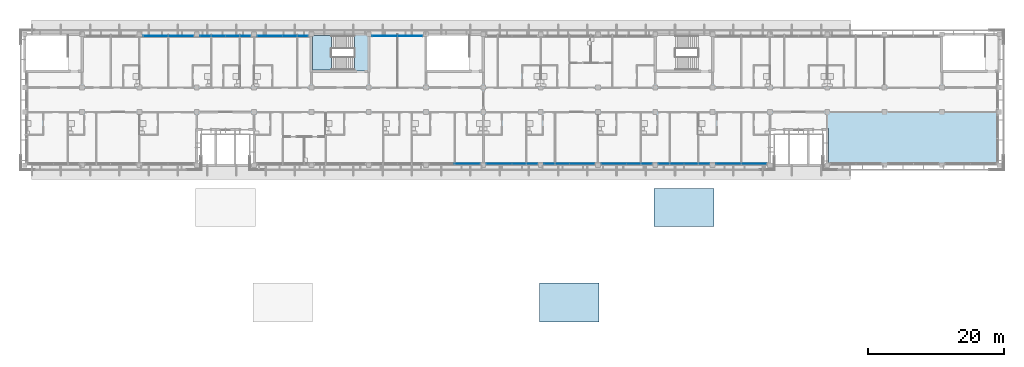
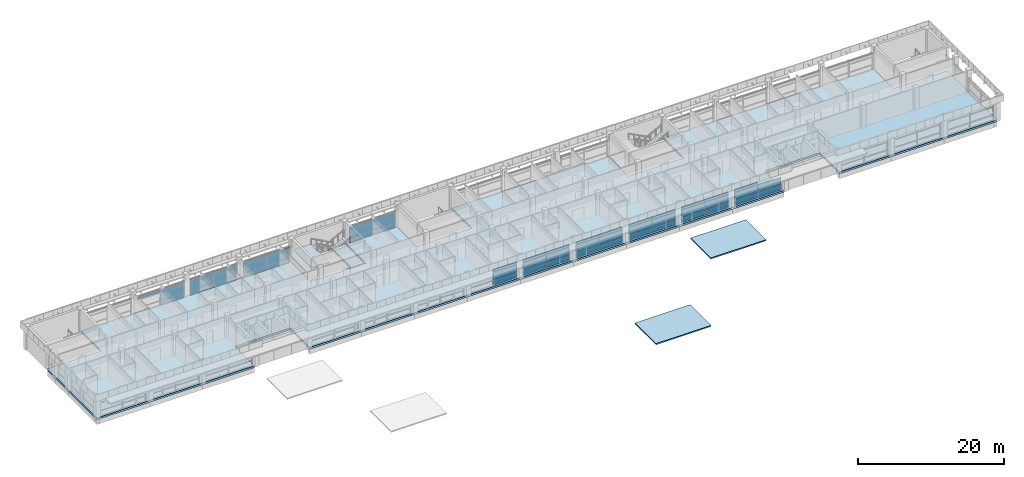
# One storey, part 12 of 36: 54 plates, 5 slabs, 11 elements without a shape of their own.
"""IFC4 building model written with IfcOpenShell, lengths in metres."""

from ifc_helpers import new_model, si_unit, direction, frame, origin, origin_2d, place, context, subcontext, project, spatial, polyline, rectangle, outline, extrude, material, layer, layer_set, type_object, element, aggregate, save


model = new_model("IFC4")

# Units and contexts
model_context = context("Model", 3, precision=1e-05, world=origin(), true_north=direction((0.0, 1.0)))
body_context = subcontext(model_context, "Body", "Model", "MODEL_VIEW")
ifc_project = project(units=[si_unit("LENGTHUNIT", "METRE"), si_unit("AREAUNIT", "SQUARE_METRE"), si_unit("VOLUMEUNIT", "CUBIC_METRE"), si_unit("PLANEANGLEUNIT", "RADIAN"), si_unit("MASSUNIT", "GRAM", prefix="KILO")], contexts=[model_context])

# Site, building, storey
site_placement = place(None, origin())
site = spatial("IfcSite", under=ifc_project, at=site_placement, CompositionType="ELEMENT")
building_placement = place(site_placement, origin())
building = spatial("IfcBuilding", under=site, at=building_placement, Name="Bougainvillea Quay General Hospital", CompositionType="ELEMENT")
storey_placement = place(building_placement, frame((0.0, 0.0, 32.699951171875)))
storey = spatial("IfcBuildingStorey", under=building, at=storey_placement, Name="L07", CompositionType="ELEMENT", Elevation=32.699951171875)

# Curtain wall, plates
ifc_material_1 = material(Name="Aluminium curtain wall system, powder-coated glazed", Category="aluminium")
curtain_wall_type = type_object("IfcCurtainWallType", Name="Unitised curtain wall CW-3730", PredefinedType="NOTDEFINED", material=ifc_material_1)
curtain_wall_1_placement = place(storey_placement, origin())
curtain_wall_1 = element("IfcCurtainWall", 1, at=curtain_wall_1_placement, inside=storey, type_object=curtain_wall_type, Name="CW-4200 07", PredefinedType="NOTDEFINED")
ifc_material_2 = material(Name="Insulated aluminium spandrel panel, white", Category="aluminium")
ifc_layer_1 = layer(ifc_material_2, 0.028076171875)
ifc_layer_set_1 = layer_set([ifc_layer_1], Name="Insulated aluminium spandrel panel, white")
plate_type_1 = type_object("IfcPlateType", Name="Insulated spandrel panel white 28", PredefinedType="CURTAIN_PANEL", material=ifc_layer_set_1)
plate_1_placement = place(storey_placement, frame((98.449951171875, 159.35009765625, 0.06005859375), z_axis=(0.0, 0.0, 1.0), x_axis=(-1.0, 0.0, 0.0)))
plate_1 = element("IfcPlate", 2, at=plate_1_placement, type_object=plate_type_1, Name="CW-4200 spandrel panel 1.1", PredefinedType="CURTAIN_PANEL", context=body_context, shape_type="SweptSolid", body=[
    extrude(rectangle(XDim=3.639892578125, YDim=0.028076171875, at=origin_2d()), origin(), (0.0, 0.0, 1.0), 0.81005859375),
])
plate_2_placement = place(storey_placement, frame((98.449951171875, 159.35009765625, 2.2802734375), z_axis=(0.0, 0.0, 1.0), x_axis=(-1.0, 0.0, 0.0)))
plate_2 = element("IfcPlate", 3, at=plate_2_placement, type_object=plate_type_1, Name="CW-4200 spandrel panel 1.3", PredefinedType="CURTAIN_PANEL", context=body_context, shape_type="SweptSolid", body=[
    extrude(rectangle(XDim=3.639892578125, YDim=0.028076171875, at=origin_2d()), origin(), (0.0, 0.0, 1.0), 0.409912109375),
])
plate_3_placement = place(storey_placement, frame((94.75, 159.35009765625, 0.06005859375), z_axis=(0.0, 0.0, 1.0), x_axis=(-1.0, 0.0, 0.0)))
plate_3 = element("IfcPlate", 4, at=plate_3_placement, type_object=plate_type_1, Name="CW-4200 spandrel panel 2.1", PredefinedType="CURTAIN_PANEL", context=body_context, shape_type="SweptSolid", body=[
    extrude(rectangle(XDim=3.639892578125, YDim=0.028076171875, at=origin_2d()), origin(), (0.0, 0.0, 1.0), 0.81005859375),
])
plate_4_placement = place(storey_placement, frame((94.75, 159.35009765625, 2.2802734375), z_axis=(0.0, 0.0, 1.0), x_axis=(-1.0, 0.0, 0.0)))
plate_4 = element("IfcPlate", 5, at=plate_4_placement, type_object=plate_type_1, Name="CW-4200 spandrel panel 2.3", PredefinedType="CURTAIN_PANEL", context=body_context, shape_type="SweptSolid", body=[
    extrude(rectangle(XDim=3.639892578125, YDim=0.028076171875, at=origin_2d()), origin(), (0.0, 0.0, 1.0), 0.409912109375),
])

curtain_wall_2_placement = place(storey_placement, origin())
curtain_wall_2 = element("IfcCurtainWall", 6, at=curtain_wall_2_placement, inside=storey, type_object=curtain_wall_type, Name="CW-4200 08", PredefinedType="NOTDEFINED")
plate_5_placement = place(storey_placement, frame((81.64990234375, 159.35009765625, 0.06005859375), z_axis=(0.0, 0.0, 1.0), x_axis=(-1.0, 0.0, 0.0)))
plate_5 = element("IfcPlate", 7, at=plate_5_placement, type_object=plate_type_1, Name="CW-4200 spandrel panel 1.1", PredefinedType="CURTAIN_PANEL", context=body_context, shape_type="SweptSolid", body=[
    extrude(rectangle(XDim=3.639892578125, YDim=0.028076171875, at=origin_2d()), origin(), (0.0, 0.0, 1.0), 0.81005859375),
])
plate_6_placement = place(storey_placement, frame((81.64990234375, 159.35009765625, 2.2802734375), z_axis=(0.0, 0.0, 1.0), x_axis=(-1.0, 0.0, 0.0)))
plate_6 = element("IfcPlate", 8, at=plate_6_placement, type_object=plate_type_1, Name="CW-4200 spandrel panel 1.3", PredefinedType="CURTAIN_PANEL", context=body_context, shape_type="SweptSolid", body=[
    extrude(rectangle(XDim=3.639892578125, YDim=0.028076171875, at=origin_2d()), origin(), (0.0, 0.0, 1.0), 0.409912109375),
])
plate_7_placement = place(storey_placement, frame((77.949951171875, 159.35009765625, 0.06005859375), z_axis=(0.0, 0.0, 1.0), x_axis=(-1.0, 0.0, 0.0)))
plate_7 = element("IfcPlate", 9, at=plate_7_placement, type_object=plate_type_1, Name="CW-4200 spandrel panel 2.1", PredefinedType="CURTAIN_PANEL", context=body_context, shape_type="SweptSolid", body=[
    extrude(rectangle(XDim=3.639892578125, YDim=0.028076171875, at=origin_2d()), origin(), (0.0, 0.0, 1.0), 0.81005859375),
])
plate_8_placement = place(storey_placement, frame((77.949951171875, 159.35009765625, 2.2802734375), z_axis=(0.0, 0.0, 1.0), x_axis=(-1.0, 0.0, 0.0)))
plate_8 = element("IfcPlate", 10, at=plate_8_placement, type_object=plate_type_1, Name="CW-4200 spandrel panel 2.3", PredefinedType="CURTAIN_PANEL", context=body_context, shape_type="SweptSolid", body=[
    extrude(rectangle(XDim=3.639892578125, YDim=0.028076171875, at=origin_2d()), origin(), (0.0, 0.0, 1.0), 0.409912109375),
])

curtain_wall_3_placement = place(storey_placement, origin())
curtain_wall_3 = element("IfcCurtainWall", 11, at=curtain_wall_3_placement, inside=storey, type_object=curtain_wall_type, Name="CW-4200 09", PredefinedType="NOTDEFINED")
plate_9_placement = place(storey_placement, frame((73.25, 159.35009765625, 0.06005859375), z_axis=(0.0, 0.0, 1.0), x_axis=(-1.0, 0.0, 0.0)))
plate_9 = element("IfcPlate", 12, at=plate_9_placement, type_object=plate_type_1, Name="CW-4200 spandrel panel 1.1", PredefinedType="CURTAIN_PANEL", context=body_context, shape_type="SweptSolid", body=[
    extrude(rectangle(XDim=3.639892578125, YDim=0.028076171875, at=origin_2d()), origin(), (0.0, 0.0, 1.0), 0.81005859375),
])
plate_10_placement = place(storey_placement, frame((73.25, 159.35009765625, 2.2802734375), z_axis=(0.0, 0.0, 1.0), x_axis=(-1.0, 0.0, 0.0)))
plate_10 = element("IfcPlate", 13, at=plate_10_placement, type_object=plate_type_1, Name="CW-4200 spandrel panel 1.3", PredefinedType="CURTAIN_PANEL", context=body_context, shape_type="SweptSolid", body=[
    extrude(rectangle(XDim=3.639892578125, YDim=0.028076171875, at=origin_2d()), origin(), (0.0, 0.0, 1.0), 0.409912109375),
])
plate_11_placement = place(storey_placement, frame((69.550048828125, 159.35009765625, 0.06005859375), z_axis=(0.0, 0.0, 1.0), x_axis=(-1.0, 0.0, 0.0)))
plate_11 = element("IfcPlate", 14, at=plate_11_placement, type_object=plate_type_1, Name="CW-4200 spandrel panel 2.1", PredefinedType="CURTAIN_PANEL", context=body_context, shape_type="SweptSolid", body=[
    extrude(rectangle(XDim=3.639892578125, YDim=0.028076171875, at=origin_2d()), origin(), (0.0, 0.0, 1.0), 0.81005859375),
])
plate_12_placement = place(storey_placement, frame((69.550048828125, 159.35009765625, 2.2802734375), z_axis=(0.0, 0.0, 1.0), x_axis=(-1.0, 0.0, 0.0)))
plate_12 = element("IfcPlate", 15, at=plate_12_placement, type_object=plate_type_1, Name="CW-4200 spandrel panel 2.3", PredefinedType="CURTAIN_PANEL", context=body_context, shape_type="SweptSolid", body=[
    extrude(rectangle(XDim=3.639892578125, YDim=0.028076171875, at=origin_2d()), origin(), (0.0, 0.0, 1.0), 0.409912109375),
])

curtain_wall_4_placement = place(storey_placement, origin())
curtain_wall_4 = element("IfcCurtainWall", 16, at=curtain_wall_4_placement, inside=storey, type_object=curtain_wall_type, Name="CW-4200 10", PredefinedType="NOTDEFINED")
plate_13_placement = place(storey_placement, frame((64.85009765625, 159.35009765625, 0.06005859375), z_axis=(0.0, 0.0, 1.0), x_axis=(-1.0, 0.0, 0.0)))
plate_13 = element("IfcPlate", 17, at=plate_13_placement, type_object=plate_type_1, Name="CW-4200 spandrel panel 1.1", PredefinedType="CURTAIN_PANEL", context=body_context, shape_type="SweptSolid", body=[
    extrude(rectangle(XDim=3.639892578125, YDim=0.028076171875, at=origin_2d()), origin(), (0.0, 0.0, 1.0), 0.81005859375),
])
plate_14_placement = place(storey_placement, frame((64.85009765625, 159.35009765625, 2.2802734375), z_axis=(0.0, 0.0, 1.0), x_axis=(-1.0, 0.0, 0.0)))
plate_14 = element("IfcPlate", 18, at=plate_14_placement, type_object=plate_type_1, Name="CW-4200 spandrel panel 1.3", PredefinedType="CURTAIN_PANEL", context=body_context, shape_type="SweptSolid", body=[
    extrude(rectangle(XDim=3.639892578125, YDim=0.028076171875, at=origin_2d()), origin(), (0.0, 0.0, 1.0), 0.409912109375),
])
plate_15_placement = place(storey_placement, frame((61.14990234375, 159.35009765625, 2.2802734375), z_axis=(0.0, 0.0, 1.0), x_axis=(-1.0, 0.0, 0.0)))
plate_15 = element("IfcPlate", 19, at=plate_15_placement, type_object=plate_type_1, Name="CW-4200 spandrel panel 2.3", PredefinedType="CURTAIN_PANEL", context=body_context, shape_type="SweptSolid", body=[
    extrude(rectangle(XDim=3.639892578125, YDim=0.028076171875, at=origin_2d()), origin(), (0.0, 0.0, 1.0), 0.409912109375),
])

curtain_wall_5_placement = place(storey_placement, origin())
curtain_wall_5 = element("IfcCurtainWall", 20, at=curtain_wall_5_placement, inside=storey, type_object=curtain_wall_type, Name="CW-4200 03", PredefinedType="NOTDEFINED")
plate_16_placement = place(storey_placement, frame((106.85009765625, 140.64990234375, 0.06005859375), z_axis=(0.0, 0.0, 1.0), x_axis=(1.0, 0.0, 0.0)))
plate_16 = element("IfcPlate", 21, at=plate_16_placement, type_object=plate_type_1, Name="CW-4200 spandrel panel 2.1", PredefinedType="CURTAIN_PANEL", context=body_context, shape_type="SweptSolid", body=[
    extrude(rectangle(XDim=3.639892578125, YDim=0.028076171875, at=origin_2d()), origin(), (0.0, 0.0, 1.0), 0.81005859375),
])
plate_17_placement = place(storey_placement, frame((106.85009765625, 140.64990234375, 2.2802734375), z_axis=(0.0, 0.0, 1.0), x_axis=(1.0, 0.0, 0.0)))
plate_17 = element("IfcPlate", 22, at=plate_17_placement, type_object=plate_type_1, Name="CW-4200 spandrel panel 2.3", PredefinedType="CURTAIN_PANEL", context=body_context, shape_type="SweptSolid", body=[
    extrude(rectangle(XDim=3.639892578125, YDim=0.028076171875, at=origin_2d()), origin(), (0.0, 0.0, 1.0), 0.409912109375),
])

curtain_wall_6_placement = place(storey_placement, origin())
curtain_wall_6 = element("IfcCurtainWall", 23, at=curtain_wall_6_placement, inside=storey, type_object=curtain_wall_type, Name="CW-4200 04", PredefinedType="NOTDEFINED")
plate_18_placement = place(storey_placement, frame((111.550048828125, 140.64990234375, 0.06005859375), z_axis=(0.0, 0.0, 1.0), x_axis=(1.0, 0.0, 0.0)))
plate_18 = element("IfcPlate", 24, at=plate_18_placement, type_object=plate_type_1, Name="CW-4200 spandrel panel 1.1", PredefinedType="CURTAIN_PANEL", context=body_context, shape_type="SweptSolid", body=[
    extrude(rectangle(XDim=3.639892578125, YDim=0.028076171875, at=origin_2d()), origin(), (0.0, 0.0, 1.0), 0.81005859375),
])
plate_19_placement = place(storey_placement, frame((111.550048828125, 140.64990234375, 2.2802734375), z_axis=(0.0, 0.0, 1.0), x_axis=(1.0, 0.0, 0.0)))
plate_19 = element("IfcPlate", 25, at=plate_19_placement, type_object=plate_type_1, Name="CW-4200 spandrel panel 1.3", PredefinedType="CURTAIN_PANEL", context=body_context, shape_type="SweptSolid", body=[
    extrude(rectangle(XDim=3.639892578125, YDim=0.028076171875, at=origin_2d()), origin(), (0.0, 0.0, 1.0), 0.409912109375),
])
plate_20_placement = place(storey_placement, frame((115.25, 140.64990234375, 0.06005859375), z_axis=(0.0, 0.0, 1.0), x_axis=(1.0, 0.0, 0.0)))
plate_20 = element("IfcPlate", 26, at=plate_20_placement, type_object=plate_type_1, Name="CW-4200 spandrel panel 2.1", PredefinedType="CURTAIN_PANEL", context=body_context, shape_type="SweptSolid", body=[
    extrude(rectangle(XDim=3.639892578125, YDim=0.028076171875, at=origin_2d()), origin(), (0.0, 0.0, 1.0), 0.81005859375),
])
plate_21_placement = place(storey_placement, frame((115.25, 140.64990234375, 2.2802734375), z_axis=(0.0, 0.0, 1.0), x_axis=(1.0, 0.0, 0.0)))
plate_21 = element("IfcPlate", 27, at=plate_21_placement, type_object=plate_type_1, Name="CW-4200 spandrel panel 2.3", PredefinedType="CURTAIN_PANEL", context=body_context, shape_type="SweptSolid", body=[
    extrude(rectangle(XDim=3.639892578125, YDim=0.028076171875, at=origin_2d()), origin(), (0.0, 0.0, 1.0), 0.409912109375),
])

curtain_wall_7_placement = place(storey_placement, origin())
curtain_wall_7 = element("IfcCurtainWall", 28, at=curtain_wall_7_placement, inside=storey, type_object=curtain_wall_type, Name="CW-4200 05", PredefinedType="NOTDEFINED")
plate_22_placement = place(storey_placement, frame((119.949951171875, 140.64990234375, 0.06005859375), z_axis=(0.0, 0.0, 1.0), x_axis=(1.0, 0.0, 0.0)))
plate_22 = element("IfcPlate", 29, at=plate_22_placement, type_object=plate_type_1, Name="CW-4200 spandrel panel 1.1", PredefinedType="CURTAIN_PANEL", context=body_context, shape_type="SweptSolid", body=[
    extrude(rectangle(XDim=3.639892578125, YDim=0.028076171875, at=origin_2d()), origin(), (0.0, 0.0, 1.0), 0.81005859375),
])
plate_23_placement = place(storey_placement, frame((119.949951171875, 140.64990234375, 2.2802734375), z_axis=(0.0, 0.0, 1.0), x_axis=(1.0, 0.0, 0.0)))
plate_23 = element("IfcPlate", 30, at=plate_23_placement, type_object=plate_type_1, Name="CW-4200 spandrel panel 1.3", PredefinedType="CURTAIN_PANEL", context=body_context, shape_type="SweptSolid", body=[
    extrude(rectangle(XDim=3.639892578125, YDim=0.028076171875, at=origin_2d()), origin(), (0.0, 0.0, 1.0), 0.409912109375),
])
plate_24_placement = place(storey_placement, frame((123.64990234375, 140.64990234375, 0.06005859375), z_axis=(0.0, 0.0, 1.0), x_axis=(1.0, 0.0, 0.0)))
plate_24 = element("IfcPlate", 31, at=plate_24_placement, type_object=plate_type_1, Name="CW-4200 spandrel panel 2.1", PredefinedType="CURTAIN_PANEL", context=body_context, shape_type="SweptSolid", body=[
    extrude(rectangle(XDim=3.639892578125, YDim=0.028076171875, at=origin_2d()), origin(), (0.0, 0.0, 1.0), 0.81005859375),
])
plate_25_placement = place(storey_placement, frame((123.64990234375, 140.64990234375, 2.2802734375), z_axis=(0.0, 0.0, 1.0), x_axis=(1.0, 0.0, 0.0)))
plate_25 = element("IfcPlate", 32, at=plate_25_placement, type_object=plate_type_1, Name="CW-4200 spandrel panel 2.3", PredefinedType="CURTAIN_PANEL", context=body_context, shape_type="SweptSolid", body=[
    extrude(rectangle(XDim=3.639892578125, YDim=0.028076171875, at=origin_2d()), origin(), (0.0, 0.0, 1.0), 0.409912109375),
])

curtain_wall_8_placement = place(storey_placement, origin())
curtain_wall_8 = element("IfcCurtainWall", 33, at=curtain_wall_8_placement, inside=storey, type_object=curtain_wall_type, Name="CW-4200 06", PredefinedType="NOTDEFINED")
plate_26_placement = place(storey_placement, frame((128.35009765625, 140.64990234375, 0.06005859375), z_axis=(0.0, 0.0, 1.0), x_axis=(1.0, 0.0, 0.0)))
plate_26 = element("IfcPlate", 34, at=plate_26_placement, type_object=plate_type_1, Name="CW-4200 spandrel panel 1.1", PredefinedType="CURTAIN_PANEL", context=body_context, shape_type="SweptSolid", body=[
    extrude(rectangle(XDim=3.639892578125, YDim=0.028076171875, at=origin_2d()), origin(), (0.0, 0.0, 1.0), 0.81005859375),
])
plate_27_placement = place(storey_placement, frame((128.35009765625, 140.64990234375, 2.2802734375), z_axis=(0.0, 0.0, 1.0), x_axis=(1.0, 0.0, 0.0)))
plate_27 = element("IfcPlate", 35, at=plate_27_placement, type_object=plate_type_1, Name="CW-4200 spandrel panel 1.3", PredefinedType="CURTAIN_PANEL", context=body_context, shape_type="SweptSolid", body=[
    extrude(rectangle(XDim=3.639892578125, YDim=0.028076171875, at=origin_2d()), origin(), (0.0, 0.0, 1.0), 0.409912109375),
])
plate_28_placement = place(storey_placement, frame((132.050048828125, 140.64990234375, 0.06005859375), z_axis=(0.0, 0.0, 1.0), x_axis=(1.0, 0.0, 0.0)))
plate_28 = element("IfcPlate", 36, at=plate_28_placement, type_object=plate_type_1, Name="CW-4200 spandrel panel 2.1", PredefinedType="CURTAIN_PANEL", context=body_context, shape_type="SweptSolid", body=[
    extrude(rectangle(XDim=3.639892578125, YDim=0.028076171875, at=origin_2d()), origin(), (0.0, 0.0, 1.0), 0.81005859375),
])
plate_29_placement = place(storey_placement, frame((132.050048828125, 140.64990234375, 2.2802734375), z_axis=(0.0, 0.0, 1.0), x_axis=(1.0, 0.0, 0.0)))
plate_29 = element("IfcPlate", 37, at=plate_29_placement, type_object=plate_type_1, Name="CW-4200 spandrel panel 2.3", PredefinedType="CURTAIN_PANEL", context=body_context, shape_type="SweptSolid", body=[
    extrude(rectangle(XDim=3.639892578125, YDim=0.028076171875, at=origin_2d()), origin(), (0.0, 0.0, 1.0), 0.409912109375),
])

curtain_wall_9_placement = place(storey_placement, origin())
curtain_wall_9 = element("IfcCurtainWall", 38, at=curtain_wall_9_placement, inside=storey, type_object=curtain_wall_type, Name="CW-4200 07", PredefinedType="NOTDEFINED")
plate_30_placement = place(storey_placement, frame((136.75, 140.64990234375, 0.06005859375), z_axis=(0.0, 0.0, 1.0), x_axis=(1.0, 0.0, 0.0)))
plate_30 = element("IfcPlate", 39, at=plate_30_placement, type_object=plate_type_1, Name="CW-4200 spandrel panel 1.1", PredefinedType="CURTAIN_PANEL", context=body_context, shape_type="SweptSolid", body=[
    extrude(rectangle(XDim=3.639892578125, YDim=0.028076171875, at=origin_2d()), origin(), (0.0, 0.0, 1.0), 0.81005859375),
])
plate_31_placement = place(storey_placement, frame((136.75, 140.64990234375, 2.2802734375), z_axis=(0.0, 0.0, 1.0), x_axis=(1.0, 0.0, 0.0)))
plate_31 = element("IfcPlate", 40, at=plate_31_placement, type_object=plate_type_1, Name="CW-4200 spandrel panel 1.3", PredefinedType="CURTAIN_PANEL", context=body_context, shape_type="SweptSolid", body=[
    extrude(rectangle(XDim=3.639892578125, YDim=0.028076171875, at=origin_2d()), origin(), (0.0, 0.0, 1.0), 0.409912109375),
])
plate_32_placement = place(storey_placement, frame((140.449951171875, 140.64990234375, 0.06005859375), z_axis=(0.0, 0.0, 1.0), x_axis=(1.0, 0.0, 0.0)))
plate_32 = element("IfcPlate", 41, at=plate_32_placement, type_object=plate_type_1, Name="CW-4200 spandrel panel 2.1", PredefinedType="CURTAIN_PANEL", context=body_context, shape_type="SweptSolid", body=[
    extrude(rectangle(XDim=3.639892578125, YDim=0.028076171875, at=origin_2d()), origin(), (0.0, 0.0, 1.0), 0.81005859375),
])
plate_33_placement = place(storey_placement, frame((140.449951171875, 140.64990234375, 2.2802734375), z_axis=(0.0, 0.0, 1.0), x_axis=(1.0, 0.0, 0.0)))
plate_33 = element("IfcPlate", 42, at=plate_33_placement, type_object=plate_type_1, Name="CW-4200 spandrel panel 2.3", PredefinedType="CURTAIN_PANEL", context=body_context, shape_type="SweptSolid", body=[
    extrude(rectangle(XDim=3.639892578125, YDim=0.028076171875, at=origin_2d()), origin(), (0.0, 0.0, 1.0), 0.409912109375),
])

curtain_wall_10_placement = place(storey_placement, origin())
curtain_wall_10 = element("IfcCurtainWall", 43, at=curtain_wall_10_placement, inside=storey, type_object=curtain_wall_type, Name="CW-4200 08", PredefinedType="NOTDEFINED")
plate_34_placement = place(storey_placement, frame((145.14990234375, 140.64990234375, 0.06005859375), z_axis=(0.0, 0.0, 1.0), x_axis=(1.0, 0.0, 0.0)))
plate_34 = element("IfcPlate", 44, at=plate_34_placement, type_object=plate_type_1, Name="CW-4200 spandrel panel 1.1", PredefinedType="CURTAIN_PANEL", context=body_context, shape_type="SweptSolid", body=[
    extrude(rectangle(XDim=3.639892578125, YDim=0.028076171875, at=origin_2d()), origin(), (0.0, 0.0, 1.0), 0.81005859375),
])
plate_35_placement = place(storey_placement, frame((145.14990234375, 140.64990234375, 2.2802734375), z_axis=(0.0, 0.0, 1.0), x_axis=(1.0, 0.0, 0.0)))
plate_35 = element("IfcPlate", 45, at=plate_35_placement, type_object=plate_type_1, Name="CW-4200 spandrel panel 1.3", PredefinedType="CURTAIN_PANEL", context=body_context, shape_type="SweptSolid", body=[
    extrude(rectangle(XDim=3.639892578125, YDim=0.028076171875, at=origin_2d()), origin(), (0.0, 0.0, 1.0), 0.409912109375),
])
plate_36_placement = place(storey_placement, frame((148.85009765625, 140.64990234375, 0.06005859375), z_axis=(0.0, 0.0, 1.0), x_axis=(1.0, 0.0, 0.0)))
plate_36 = element("IfcPlate", 46, at=plate_36_placement, type_object=plate_type_1, Name="CW-4200 spandrel panel 2.1", PredefinedType="CURTAIN_PANEL", context=body_context, shape_type="SweptSolid", body=[
    extrude(rectangle(XDim=3.639892578125, YDim=0.028076171875, at=origin_2d()), origin(), (0.0, 0.0, 1.0), 0.81005859375),
])

# Plate
ifc_material_3 = material(Name="Low-e laminated glass, solar control", Category="glass")
ifc_layer_2 = layer(ifc_material_3, 0.028076171875)
ifc_layer_set_2 = layer_set([ifc_layer_2], Name="Low-e laminated glass, solar control")
plate_type_2 = type_object("IfcPlateType", Name="Low-e laminated vision glass 28", PredefinedType="CURTAIN_PANEL", material=ifc_layer_set_2)
plate_37_placement = place(storey_placement, frame((98.449951171875, 159.35009765625, 0.929931640625), z_axis=(0.0, 0.0, 1.0), x_axis=(-1.0, 0.0, 0.0)))
plate_37 = element("IfcPlate", 47, at=plate_37_placement, type_object=plate_type_2, Name="CW-4200 vision glass panel 1.2", PredefinedType="CURTAIN_PANEL", context=body_context, shape_type="SweptSolid", body=[
    extrude(rectangle(XDim=3.639892578125, YDim=0.028076171875, at=origin_2d()), origin(), (0.0, 0.0, 1.0), 1.2900390625),
])

plate_38_placement = place(storey_placement, frame((94.75, 159.35009765625, 0.929931640625), z_axis=(0.0, 0.0, 1.0), x_axis=(-1.0, 0.0, 0.0)))
plate_38 = element("IfcPlate", 48, at=plate_38_placement, type_object=plate_type_2, Name="CW-4200 vision glass panel 2.2", PredefinedType="CURTAIN_PANEL", context=body_context, shape_type="SweptSolid", body=[
    extrude(rectangle(XDim=3.639892578125, YDim=0.028076171875, at=origin_2d()), origin(), (0.0, 0.0, 1.0), 1.2900390625),
])

aggregate(curtain_wall_1, [plate_1, plate_37, plate_2, plate_3, plate_38, plate_4])

plate_39_placement = place(storey_placement, frame((81.64990234375, 159.35009765625, 0.929931640625), z_axis=(0.0, 0.0, 1.0), x_axis=(-1.0, 0.0, 0.0)))
plate_39 = element("IfcPlate", 49, at=plate_39_placement, type_object=plate_type_2, Name="CW-4200 vision glass panel 1.2", PredefinedType="CURTAIN_PANEL", context=body_context, shape_type="SweptSolid", body=[
    extrude(rectangle(XDim=3.639892578125, YDim=0.028076171875, at=origin_2d()), origin(), (0.0, 0.0, 1.0), 1.2900390625),
])

plate_40_placement = place(storey_placement, frame((77.949951171875, 159.35009765625, 0.929931640625), z_axis=(0.0, 0.0, 1.0), x_axis=(-1.0, 0.0, 0.0)))
plate_40 = element("IfcPlate", 50, at=plate_40_placement, type_object=plate_type_2, Name="CW-4200 vision glass panel 2.2", PredefinedType="CURTAIN_PANEL", context=body_context, shape_type="SweptSolid", body=[
    extrude(rectangle(XDim=3.639892578125, YDim=0.028076171875, at=origin_2d()), origin(), (0.0, 0.0, 1.0), 1.2900390625),
])

aggregate(curtain_wall_2, [plate_5, plate_39, plate_6, plate_7, plate_40, plate_8])

plate_41_placement = place(storey_placement, frame((73.25, 159.35009765625, 0.929931640625), z_axis=(0.0, 0.0, 1.0), x_axis=(-1.0, 0.0, 0.0)))
plate_41 = element("IfcPlate", 51, at=plate_41_placement, type_object=plate_type_2, Name="CW-4200 vision glass panel 1.2", PredefinedType="CURTAIN_PANEL", context=body_context, shape_type="SweptSolid", body=[
    extrude(rectangle(XDim=3.639892578125, YDim=0.028076171875, at=origin_2d()), origin(), (0.0, 0.0, 1.0), 1.2900390625),
])

plate_42_placement = place(storey_placement, frame((69.550048828125, 159.35009765625, 0.929931640625), z_axis=(0.0, 0.0, 1.0), x_axis=(-1.0, 0.0, 0.0)))
plate_42 = element("IfcPlate", 52, at=plate_42_placement, type_object=plate_type_2, Name="CW-4200 vision glass panel 2.2", PredefinedType="CURTAIN_PANEL", context=body_context, shape_type="SweptSolid", body=[
    extrude(rectangle(XDim=3.639892578125, YDim=0.028076171875, at=origin_2d()), origin(), (0.0, 0.0, 1.0), 1.2900390625),
])

aggregate(curtain_wall_3, [plate_9, plate_41, plate_10, plate_11, plate_42, plate_12])

plate_43_placement = place(storey_placement, frame((64.85009765625, 159.35009765625, 0.929931640625), z_axis=(0.0, 0.0, 1.0), x_axis=(-1.0, 0.0, 0.0)))
plate_43 = element("IfcPlate", 53, at=plate_43_placement, type_object=plate_type_2, Name="CW-4200 vision glass panel 1.2", PredefinedType="CURTAIN_PANEL", context=body_context, shape_type="SweptSolid", body=[
    extrude(rectangle(XDim=3.639892578125, YDim=0.028076171875, at=origin_2d()), origin(), (0.0, 0.0, 1.0), 1.2900390625),
])

aggregate(curtain_wall_4, [plate_13, plate_43, plate_14, plate_15])

plate_44_placement = place(storey_placement, frame((106.85009765625, 140.64990234375, 0.929931640625), z_axis=(0.0, 0.0, 1.0), x_axis=(1.0, 0.0, 0.0)))
plate_44 = element("IfcPlate", 54, at=plate_44_placement, type_object=plate_type_2, Name="CW-4200 vision glass panel 2.2", PredefinedType="CURTAIN_PANEL", context=body_context, shape_type="SweptSolid", body=[
    extrude(rectangle(XDim=3.639892578125, YDim=0.028076171875, at=origin_2d()), origin(), (0.0, 0.0, 1.0), 1.2900390625),
])

aggregate(curtain_wall_5, [plate_16, plate_44, plate_17])

plate_45_placement = place(storey_placement, frame((111.550048828125, 140.64990234375, 0.929931640625), z_axis=(0.0, 0.0, 1.0), x_axis=(1.0, 0.0, 0.0)))
plate_45 = element("IfcPlate", 55, at=plate_45_placement, type_object=plate_type_2, Name="CW-4200 vision glass panel 1.2", PredefinedType="CURTAIN_PANEL", context=body_context, shape_type="SweptSolid", body=[
    extrude(rectangle(XDim=3.639892578125, YDim=0.028076171875, at=origin_2d()), origin(), (0.0, 0.0, 1.0), 1.2900390625),
])

plate_46_placement = place(storey_placement, frame((115.25, 140.64990234375, 0.929931640625), z_axis=(0.0, 0.0, 1.0), x_axis=(1.0, 0.0, 0.0)))
plate_46 = element("IfcPlate", 56, at=plate_46_placement, type_object=plate_type_2, Name="CW-4200 vision glass panel 2.2", PredefinedType="CURTAIN_PANEL", context=body_context, shape_type="SweptSolid", body=[
    extrude(rectangle(XDim=3.639892578125, YDim=0.028076171875, at=origin_2d()), origin(), (0.0, 0.0, 1.0), 1.2900390625),
])

aggregate(curtain_wall_6, [plate_18, plate_45, plate_19, plate_20, plate_46, plate_21])

plate_47_placement = place(storey_placement, frame((119.949951171875, 140.64990234375, 0.929931640625), z_axis=(0.0, 0.0, 1.0), x_axis=(1.0, 0.0, 0.0)))
plate_47 = element("IfcPlate", 57, at=plate_47_placement, type_object=plate_type_2, Name="CW-4200 vision glass panel 1.2", PredefinedType="CURTAIN_PANEL", context=body_context, shape_type="SweptSolid", body=[
    extrude(rectangle(XDim=3.639892578125, YDim=0.028076171875, at=origin_2d()), origin(), (0.0, 0.0, 1.0), 1.2900390625),
])

plate_48_placement = place(storey_placement, frame((123.64990234375, 140.64990234375, 0.929931640625), z_axis=(0.0, 0.0, 1.0), x_axis=(1.0, 0.0, 0.0)))
plate_48 = element("IfcPlate", 58, at=plate_48_placement, type_object=plate_type_2, Name="CW-4200 vision glass panel 2.2", PredefinedType="CURTAIN_PANEL", context=body_context, shape_type="SweptSolid", body=[
    extrude(rectangle(XDim=3.639892578125, YDim=0.028076171875, at=origin_2d()), origin(), (0.0, 0.0, 1.0), 1.2900390625),
])

aggregate(curtain_wall_7, [plate_22, plate_47, plate_23, plate_24, plate_48, plate_25])

plate_49_placement = place(storey_placement, frame((128.35009765625, 140.64990234375, 0.929931640625), z_axis=(0.0, 0.0, 1.0), x_axis=(1.0, 0.0, 0.0)))
plate_49 = element("IfcPlate", 59, at=plate_49_placement, type_object=plate_type_2, Name="CW-4200 vision glass panel 1.2", PredefinedType="CURTAIN_PANEL", context=body_context, shape_type="SweptSolid", body=[
    extrude(rectangle(XDim=3.639892578125, YDim=0.028076171875, at=origin_2d()), origin(), (0.0, 0.0, 1.0), 1.2900390625),
])

plate_50_placement = place(storey_placement, frame((132.050048828125, 140.64990234375, 0.929931640625), z_axis=(0.0, 0.0, 1.0), x_axis=(1.0, 0.0, 0.0)))
plate_50 = element("IfcPlate", 60, at=plate_50_placement, type_object=plate_type_2, Name="CW-4200 vision glass panel 2.2", PredefinedType="CURTAIN_PANEL", context=body_context, shape_type="SweptSolid", body=[
    extrude(rectangle(XDim=3.639892578125, YDim=0.028076171875, at=origin_2d()), origin(), (0.0, 0.0, 1.0), 1.2900390625),
])

aggregate(curtain_wall_8, [plate_26, plate_49, plate_27, plate_28, plate_50, plate_29])

plate_51_placement = place(storey_placement, frame((136.75, 140.64990234375, 0.929931640625), z_axis=(0.0, 0.0, 1.0), x_axis=(1.0, 0.0, 0.0)))
plate_51 = element("IfcPlate", 61, at=plate_51_placement, type_object=plate_type_2, Name="CW-4200 vision glass panel 1.2", PredefinedType="CURTAIN_PANEL", context=body_context, shape_type="SweptSolid", body=[
    extrude(rectangle(XDim=3.639892578125, YDim=0.028076171875, at=origin_2d()), origin(), (0.0, 0.0, 1.0), 1.2900390625),
])

plate_52_placement = place(storey_placement, frame((140.449951171875, 140.64990234375, 0.929931640625), z_axis=(0.0, 0.0, 1.0), x_axis=(1.0, 0.0, 0.0)))
plate_52 = element("IfcPlate", 62, at=plate_52_placement, type_object=plate_type_2, Name="CW-4200 vision glass panel 2.2", PredefinedType="CURTAIN_PANEL", context=body_context, shape_type="SweptSolid", body=[
    extrude(rectangle(XDim=3.639892578125, YDim=0.028076171875, at=origin_2d()), origin(), (0.0, 0.0, 1.0), 1.2900390625),
])

aggregate(curtain_wall_9, [plate_30, plate_51, plate_31, plate_32, plate_52, plate_33])

plate_53_placement = place(storey_placement, frame((145.14990234375, 140.64990234375, 0.929931640625), z_axis=(0.0, 0.0, 1.0), x_axis=(1.0, 0.0, 0.0)))
plate_53 = element("IfcPlate", 63, at=plate_53_placement, type_object=plate_type_2, Name="CW-4200 vision glass panel 1.2", PredefinedType="CURTAIN_PANEL", context=body_context, shape_type="SweptSolid", body=[
    extrude(rectangle(XDim=3.639892578125, YDim=0.028076171875, at=origin_2d()), origin(), (0.0, 0.0, 1.0), 1.2900390625),
])

plate_54_placement = place(storey_placement, frame((148.85009765625, 140.64990234375, 0.929931640625), z_axis=(0.0, 0.0, 1.0), x_axis=(1.0, 0.0, 0.0)))
plate_54 = element("IfcPlate", 64, at=plate_54_placement, type_object=plate_type_2, Name="CW-4200 vision glass panel 2.2", PredefinedType="CURTAIN_PANEL", context=body_context, shape_type="SweptSolid", body=[
    extrude(rectangle(XDim=3.639892578125, YDim=0.028076171875, at=origin_2d()), origin(), (0.0, 0.0, 1.0), 1.2900390625),
])

aggregate(curtain_wall_10, [plate_34, plate_53, plate_35, plate_36, plate_54])

# Slabs
ifc_material_4 = material(Name="Concrete C35", Category="concrete")
ifc_layer_3 = layer(ifc_material_4, 0.199951171875)
ifc_layer_set_3 = layer_set([ifc_layer_3], Name="Concrete C35")
slab_type_1 = type_object("IfcSlabType", Name="RC FLAT SLAB 200 C35 ROOF", PredefinedType="ROOF", material=ifc_layer_set_3)
slab_1_placement = place(storey_placement, frame((0.0, 0.0, -0.199951171875)))
element("IfcSlab", 65, at=slab_1_placement, inside=storey, type_object=slab_type_1, Name="Slab S10 L07", PredefinedType="ROOF", context=body_context, shape_type="SweptSolid", body=[
    extrude(outline(polyline([(142.97509765625, 136.97509765625), (134.22509765625, 136.97509765625), (134.22509765625, 131.425048828125), (142.97509765625, 131.425048828125), (142.97509765625, 136.97509765625)])), origin(), (0.0, 0.0, 1.0), 0.199951171875),
])
slab_2_placement = place(storey_placement, frame((0.0, 0.0, -0.199951171875)))
element("IfcSlab", 66, at=slab_2_placement, inside=storey, type_object=slab_type_1, Name="Slab S10 L07", PredefinedType="ROOF", context=body_context, shape_type="SweptSolid", body=[
    extrude(outline(polyline([(126.175048828125, 123.175048828125), (117.425048828125, 123.175048828125), (117.425048828125, 117.425048828125), (126.175048828125, 117.425048828125), (126.175048828125, 123.175048828125)])), origin(), (0.0, 0.0, 1.0), 0.199951171875),
])
ifc_layer_4 = layer(ifc_material_4, 0.300048828125)
ifc_layer_set_4 = layer_set([ifc_layer_4], Name="Concrete C35")
slab_type_2 = type_object("IfcSlabType", Name="RC FLAT SLAB 300 C35", PredefinedType="FLOOR", material=ifc_layer_set_4)
slab_3_placement = place(storey_placement, frame((0.0, 0.0, -0.300048828125)))
element("IfcSlab", 67, at=slab_3_placement, inside=storey, type_object=slab_type_2, Name="Slab S3 L07", PredefinedType="FLOOR", context=body_context, shape_type="SweptSolid", body=[
    extrude(outline(polyline([(184.800048828125, 140.39990234375), (184.800048828125, 154.02490234375), (184.625, 154.02490234375), (176.574951171875, 154.02490234375), (176.22509765625, 154.02490234375), (176.22509765625, 159.425048828125), (176.22509765625, 159.60009765625), (142.97509765625, 159.60009765625), (142.97509765625, 154.02490234375), (142.625, 154.02490234375), (134.574951171875, 154.02490234375), (134.22509765625, 154.02490234375), (134.22509765625, 159.425048828125), (134.22509765625, 159.60009765625), (109.375, 159.60009765625), (109.375, 154.02490234375), (109.02490234375, 154.02490234375), (100.97509765625, 154.02490234375), (100.625, 154.02490234375), (100.625, 159.425048828125), (100.625, 159.60009765625), (92.574951171875, 159.60009765625), (92.574951171875, 154.02490234375), (92.22509765625, 154.02490234375), (84.175048828125, 154.02490234375), (83.824951171875, 154.02490234375), (83.824951171875, 159.425048828125), (83.824951171875, 159.60009765625), (50.574951171875, 159.60009765625), (50.574951171875, 154.02490234375), (50.22509765625, 154.02490234375), (42.175048828125, 154.02490234375), (42.0, 154.02490234375), (42.0, 140.39990234375), (67.02490234375, 140.39990234375), (67.02490234375, 145.425048828125), (67.02490234375, 145.77490234375), (70.0, 145.77490234375), (72.800048828125, 145.77490234375), (75.425048828125, 145.77490234375), (75.77490234375, 145.77490234375), (75.77490234375, 140.39990234375), (151.02490234375, 140.39990234375), (151.02490234375, 145.425048828125), (151.02490234375, 145.77490234375), (154.0, 145.77490234375), (156.800048828125, 145.77490234375), (159.425048828125, 145.77490234375), (159.77490234375, 145.77490234375), (159.77490234375, 140.39990234375), (184.800048828125, 140.39990234375)])), origin(), (0.0, 0.0, 1.0), 0.300048828125),
])
slab_4_placement = place(storey_placement, frame((0.0, 0.0, -0.300048828125)))
element("IfcSlab", 68, at=slab_4_placement, inside=storey, type_object=slab_type_2, Name="Stair landing floor ST-A2 L07", PredefinedType="FLOOR", context=body_context, shape_type="SweptSolid", body=[
    extrude(outline(polyline([(89.702880859375, 159.48388671875), (89.71142578125, 159.5419921875), (89.725830078125, 159.599609375), (92.39990234375, 159.60009765625), (92.39990234375, 154.199951171875), (89.725830078125, 154.200439453125), (89.71142578125, 154.2578125), (89.702880859375, 154.316162109375), (89.699951171875, 154.3740234375), (90.300537109375, 154.374267578125), (90.300537109375, 159.425537109375), (89.699951171875, 159.426025390625), (89.702880859375, 159.48388671875)])), origin(), (0.0, 0.0, 1.0), 0.300048828125),
])

# Stair, slab
stair_type = type_object("IfcStairType", Name="Stair half-turn 1925 wide", PredefinedType="HALF_TURN_STAIR", material=ifc_material_4)
stair_placement = place(storey_placement, origin())
stair = element("IfcStair", 69, at=stair_placement, inside=storey, type_object=stair_type, Name="L07 stair ST-A2", PredefinedType="HALF_TURN_STAIR")
ifc_layer_5 = layer(ifc_material_4, 0.199951171875)
ifc_layer_set_5 = layer_set([ifc_layer_5], Name="Concrete C35")
slab_type_3 = type_object("IfcSlabType", Name="Stair landing 200", PredefinedType="LANDING", material=ifc_layer_set_5)
slab_5_placement = place(storey_placement, frame((0.0, 0.0, 1.75)))
slab_5 = element("IfcSlab", 70, at=slab_5_placement, type_object=slab_type_3, Name="ST-A2 landing 1", PredefinedType="LANDING", context=body_context, shape_type="SweptSolid", body=[
    extrude(outline(polyline([(86.93994140625, 159.425048828125), (84.175048828125, 159.425048828125), (84.175048828125, 154.375), (86.93994140625, 154.375), (86.93994140625, 159.425048828125)])), origin(), (0.0, 0.0, 1.0), 0.199951171875),
])
aggregate(stair, [slab_5])

save(model, "model.ifc")
